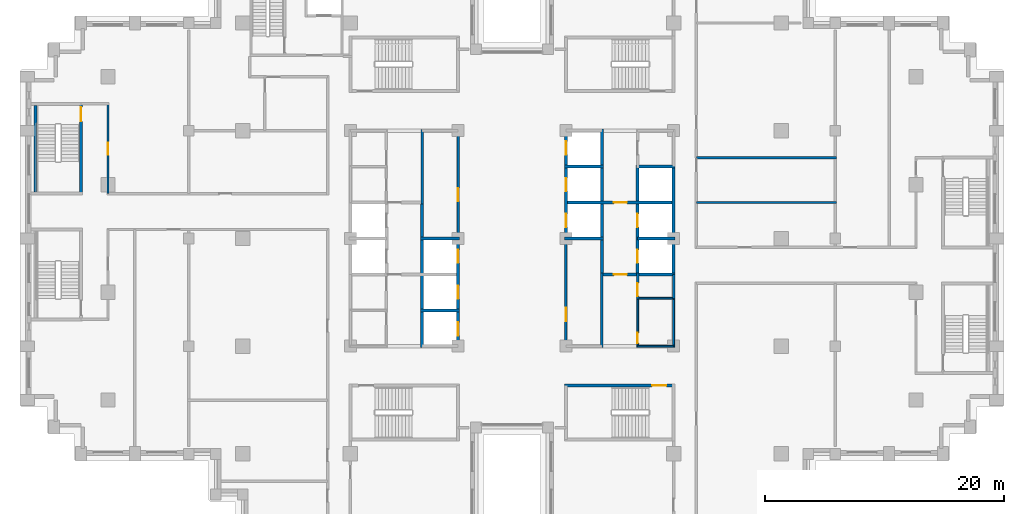
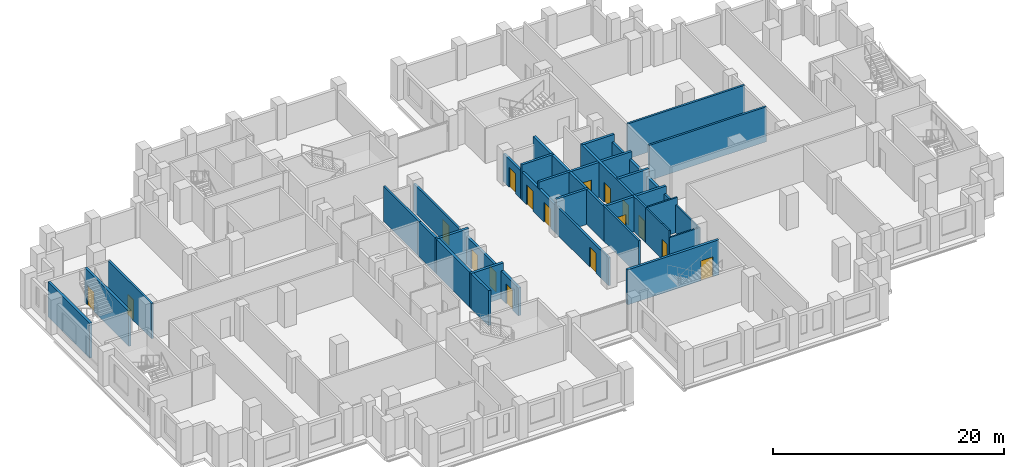
# One storey, part 8 of 15: 30 walls, 17 doors, 17 openings.
"""IFC4 building model written with IfcOpenShell, lengths in metres."""

import ifcopenshell
import ifcopenshell.guid

model = None  # the IFC model being written
_history = None  # IfcOwnerHistory: only IFC2X3 demands one
_inside = {}  # id of a spatial element -> (the spatial element, [elements in it])
_under = {}  # id of a project, library or spatial element -> (it, [spatial elements below it])
_declared = {}  # id of a project -> (the project, [libraries it declares])
_typed = {}  # id of a type object -> (the type object, [elements of that type])
_made_of = {}  # id of a material, layer set ... -> (it, [elements and type objects made of it])


def new_model(schema):
    """Start an empty IFC model of exactly this schema.

    Asked for "IFC4X3", IfcOpenShell would pick the latest addendum, in which some entities
    have other attributes; the version numbers below select the first issue.
    IFC2X3 requires an IfcOwnerHistory on every rooted entity: one is made here for all.
    """
    global model, _history
    if schema == "IFC4X3":
        model = ifcopenshell.file(schema_version=(4, 3, 0, 0))
    else:
        model = ifcopenshell.file(schema=schema)
    _inside.clear()
    _under.clear()
    _declared.clear()
    _typed.clear()
    _made_of.clear()
    _history = None
    if model.schema == "IFC2X3":
        org = make("IfcOrganization", Name="unknown")
        user = make(
            "IfcPersonAndOrganization",
            ThePerson=make("IfcPerson", FamilyName="unknown"),
            TheOrganization=org,
        )
        app = make(
            "IfcApplication",
            ApplicationDeveloper=org,
            Version="unknown",
            ApplicationFullName="unknown",
            ApplicationIdentifier="unknown",
        )
        _history = make(
            "IfcOwnerHistory",
            OwningUser=user,
            OwningApplication=app,
            ChangeAction="ADDED",
            CreationDate=0,
        )
    return model


def make(cls, **values):
    """One entity of the class cls with the attributes given. An attribute that is None is left unset."""
    return model.create_entity(
        cls, **{name: value for name, value in values.items() if value is not None}
    )


def rooted(cls, **values):
    """An entity with a GlobalId (a new one), such as an element, a storey or a relation."""
    return make(cls, GlobalId=ifcopenshell.guid.new(), OwnerHistory=_history, **values)


def si_unit(unit_type, name, prefix=None):
    """IfcSIUnit, for example si_unit("LENGTHUNIT", "METRE", prefix="MILLI")."""
    return make("IfcSIUnit", UnitType=unit_type, Prefix=prefix, Name=name)


def assignment(units):
    """IfcUnitAssignment: the units of a project."""
    return None if units is None else make("IfcUnitAssignment", Units=units)


def point(xyz):
    """IfcCartesianPoint."""
    return None if xyz is None else make("IfcCartesianPoint", Coordinates=xyz)


def direction(xyz):
    """IfcDirection."""
    return None if xyz is None else make("IfcDirection", DirectionRatios=xyz)


def frame(location, z_axis=None, x_axis=None):
    """IfcAxis2Placement3D, a coordinate frame: its origin and axes. An axis left out is left unset."""
    return make(
        "IfcAxis2Placement3D",
        Location=point(location),
        Axis=direction(z_axis),
        RefDirection=direction(x_axis),
    )


def frame_2d(location, x_axis=None):
    """IfcAxis2Placement2D, a coordinate frame in the plane: its origin and x axis."""
    return make(
        "IfcAxis2Placement2D", Location=point(location), RefDirection=direction(x_axis)
    )


def origin():
    """The frame at (0, 0, 0) with its axes left unset."""
    return frame((0.0, 0.0, 0.0))


def place(relative_to, where):
    """IfcLocalPlacement: puts the frame where relative to a parent placement (None: the world)."""
    return make(
        "IfcLocalPlacement", PlacementRelTo=relative_to, RelativePlacement=where
    )


def context(
    kind, dimensions, precision=None, world=None, true_north=None, identifier=None
):
    """IfcGeometricRepresentationContext, for example the 3D "Model" context."""
    return make(
        "IfcGeometricRepresentationContext",
        ContextIdentifier=identifier,
        ContextType=kind,
        CoordinateSpaceDimension=dimensions,
        Precision=precision,
        WorldCoordinateSystem=world,
        TrueNorth=true_north,
    )


def subcontext(parent, identifier, kind, view, scale=None):
    """IfcGeometricRepresentationSubContext, for example "Body" below "Model"."""
    return make(
        "IfcGeometricRepresentationSubContext",
        ContextIdentifier=identifier,
        ContextType=kind,
        ParentContext=parent,
        TargetScale=scale,
        TargetView=view,
    )


def project(units=None, contexts=None):
    """IfcProject with its units and contexts."""
    return rooted(
        "IfcProject",
        Name="project",
        RepresentationContexts=contexts,
        UnitsInContext=assignment(units),
    )


def spatial(cls, under=None, at=None, **own):
    """A site, building, storey or space (cls), placed at a placement, below another one or the project."""
    s = rooted(cls, ObjectPlacement=at, **own)
    if under is not None:
        _under.setdefault(under.id(), (under, []))[1].append(s)
    return s


def profile(cls, at=None, kind="AREA", **sizes):
    """A parametric profile (cls). Its sizes go by their IFC names, for example OverallWidth=200.0."""
    return make(cls, ProfileType=kind, Position=at, **sizes)


def rectangle(**sizes):
    """IfcRectangleProfileDef."""
    return profile("IfcRectangleProfileDef", **sizes)


def extrude(swept, where, along, depth):
    """IfcExtrudedAreaSolid: the profile swept, set in the frame where, extruded along a direction by depth."""
    return make(
        "IfcExtrudedAreaSolid",
        SweptArea=swept,
        Position=where,
        ExtrudedDirection=direction(along),
        Depth=depth,
    )


def shape(context_of_items, identifier, shape_type, items):
    """IfcShapeRepresentation: the items that make up one representation, for example the "Body"."""
    return make(
        "IfcShapeRepresentation",
        ContextOfItems=context_of_items,
        RepresentationIdentifier=identifier,
        RepresentationType=shape_type,
        Items=items,
    )


def material(Name=None, Category=None):
    """IfcMaterial."""
    return make("IfcMaterial", Name=Name, Category=Category)


def layer(
    of_material, thickness, ventilated=None, Name=None, Category=None, Priority=None
):
    """IfcMaterialLayer: one layer of a wall or slab, of a material (None: an air gap)."""
    return make(
        "IfcMaterialLayer",
        Material=of_material,
        LayerThickness=thickness,
        IsVentilated=ventilated,
        Name=Name,
        Category=Category,
        Priority=Priority,
    )


def layer_set(layers, Name=None):
    """IfcMaterialLayerSet."""
    return make("IfcMaterialLayerSet", MaterialLayers=layers, LayerSetName=Name)


def made_of(thing, what):
    """Note that an element or type object is made of a material, layer set ...; save() writes the relation."""
    if what is not None:
        _made_of.setdefault(what.id(), (what, []))[1].append(thing)
    return thing


def type_object(cls, material=None, **own):
    """A type object (cls), such as IfcWallType, which elements share."""
    return made_of(rooted(cls, **own), material)


def element(
    cls,
    number,
    at=None,
    inside=None,
    cuts=None,
    type_object=None,
    material=None,
    context=None,
    identifier="Body",
    shape_type=None,
    held_by="IfcProductDefinitionShape",
    body=None,
    shapes=None,
    **own,
):
    """One element of the class cls, such as IfcWall. Its Tag is "e" and its number.

    at: its placement. inside: the storey or other place that contains it. cuts: it is an
    opening in that element (IfcRelVoidsElement). A single representation is given by context,
    identifier, shape_type and body (its items); several are given by shapes. held_by: the class
    of the entity that holds the representations. save() writes the other relations.
    """
    e = rooted(cls, Tag="e%d" % number, ObjectPlacement=at, **own)
    if body is not None:
        shapes = [shape(context, identifier, shape_type, body)]
    if shapes is not None:
        e.Representation = make(held_by, Representations=shapes)
    if inside is not None:
        _inside.setdefault(inside.id(), (inside, []))[1].append(e)
    if cuts is not None:
        rooted(
            "IfcRelVoidsElement", RelatingBuildingElement=cuts, RelatedOpeningElement=e
        )
    if type_object is not None:
        _typed.setdefault(type_object.id(), (type_object, []))[1].append(e)
    return made_of(e, material)


def fill(opening, filler):
    """IfcRelFillsElement: the door or window that sits in an opening."""
    return rooted(
        "IfcRelFillsElement",
        RelatingOpeningElement=opening,
        RelatedBuildingElement=filler,
    )


def aggregate(whole, parts):
    """IfcRelAggregates: a whole, such as a stair, and the parts it consists of."""
    return rooted("IfcRelAggregates", RelatingObject=whole, RelatedObjects=parts)


def save(model, path):
    """Write the relations noted so far, then the file.

    IfcRelAggregates (storeys below a building ...), IfcRelContainedInSpatialStructure (elements
    in a storey), IfcRelDefinesByType, IfcRelAssociatesMaterial and IfcRelDeclares: one each for
    every whole, place, type object, material and project.
    """
    for whole, parts in _under.values():
        aggregate(whole, parts)
    for where, things in _inside.values():
        rooted(
            "IfcRelContainedInSpatialStructure",
            RelatedElements=things,
            RelatingStructure=where,
        )
    for kind, things in _typed.values():
        rooted("IfcRelDefinesByType", RelatedObjects=things, RelatingType=kind)
    for what, things in _made_of.values():
        rooted("IfcRelAssociatesMaterial", RelatedObjects=things, RelatingMaterial=what)
    for by, libraries in _declared.values():
        rooted("IfcRelDeclares", RelatingContext=by, RelatedDefinitions=libraries)
    model.write(path)


model = new_model("IFC4")

# Units and contexts
model_context = context("Model", 3, precision=1e-05, world=origin(), true_north=direction((0.0, 1.0)))
body_context = subcontext(model_context, "Body", "Model", "MODEL_VIEW")
ifc_project = project(units=[si_unit("LENGTHUNIT", "METRE"), si_unit("AREAUNIT", "SQUARE_METRE"), si_unit("VOLUMEUNIT", "CUBIC_METRE"), si_unit("PLANEANGLEUNIT", "RADIAN"), si_unit("MASSUNIT", "GRAM", prefix="KILO")], contexts=[model_context])

# Site, building, storey
site_placement = place(None, origin())
site = spatial("IfcSite", under=ifc_project, at=site_placement, CompositionType="ELEMENT")
building_placement = place(site_placement, origin())
building = spatial("IfcBuilding", under=site, at=building_placement, Name="Corbelhall Arena Tower", CompositionType="ELEMENT")
storey_placement = place(building_placement, frame((0.0, 0.0, 88.0)))
storey = spatial("IfcBuildingStorey", under=building, at=storey_placement, Name="L14", CompositionType="ELEMENT", Elevation=88.0)

# Wall, opening, door
ifc_material_1 = material(Name="Gypsum board on steel stud, acoustic", Category="steel")
ifc_layer_1 = layer(ifc_material_1, 0.199951171875)
ifc_layer_set_1 = layer_set([ifc_layer_1], Name="IN-W-DM200")
wall_type_1 = type_object("IfcWallType", Name="IN-W-DM200", PredefinedType="PARTITIONING", material=ifc_layer_set_1)
wall_1_placement = place(storey_placement, frame((-33.75, 11.25, 0.0), z_axis=(0.0, 0.0, 1.0), x_axis=(0.0, -1.0, 0.0)))
wall_1 = element("IfcWall", 1, at=wall_1_placement, inside=storey, type_object=wall_type_1, Name="Partition 005", PredefinedType="PARTITIONING", context=body_context, shape_type="SweptSolid", body=[
    extrude(rectangle(XDim=7.5, YDim=0.199951171875, at=frame_2d((3.75, 0.0))), origin(), (0.0, 0.0, 1.0), 3.699951171875),
])
opening_1_placement = place(wall_1_placement, frame((3.25, 0.0, 0.0)))
opening_1 = element("IfcOpeningElement", 2, at=opening_1_placement, cuts=wall_1, Name="Opening 02037", PredefinedType="OPENING", context=body_context, shape_type="SweptSolid", body=[
    extrude(rectangle(XDim=1.0, YDim=2.10009765625, at=frame_2d((0.5, 1.050048828125))), frame((0.0, 0.10009765625, 0.0), z_axis=(0.0, -1.0, 0.0), x_axis=(1.0, 0.0, 0.0)), (0.0, 0.0, 1.0), 0.199951171875),
])
ifc_material_2 = material(Name="Steel door set", Category="steel")
door_type_1 = type_object("IfcDoorType", Name="IN-D-SW100", OperationType="NOTDEFINED", PredefinedType="DOOR", material=ifc_material_2)
door_1_placement = place(opening_1_placement, origin())
door_1 = element("IfcDoor", 3, at=door_1_placement, inside=storey, type_object=door_type_1, Name="Door 037", OperationType="SINGLE_SWING_RIGHT", OverallHeight=2.10009765625, OverallWidth=1.0, PredefinedType="DOOR", context=body_context, shape_type="SweptSolid", body=[
    extrude(rectangle(XDim=1.0, YDim=2.10009765625, at=frame_2d((0.5, 1.050048828125))), frame((0.0, 0.02490234375, 0.0), z_axis=(0.0, -1.0, 0.0), x_axis=(1.0, 0.0, 0.0)), (0.0, 0.0, 1.0), 0.050048828125),
])
fill(opening_1, door_1)

# Walls
for number, where, z_axis, x_axis, name in (
    (4, (15.39990234375, 3.0, 0.0), (0.0, 0.0, 1.0), (1.0, 0.0, 0.0), "Partition 030"),
    (5, (15.39990234375, 6.75, 0.0), (0.0, 0.0, 1.0), (1.0, 0.0, 0.0), "Partition 032"),
):
    element("IfcWall", number, at=place(storey_placement, frame(where, z_axis=z_axis, x_axis=x_axis)), inside=storey, type_object=wall_type_1, Name=name, PredefinedType="PARTITIONING", context=body_context, shape_type="SweptSolid", body=[
        extrude(rectangle(XDim=11.7001953125, YDim=0.199951171875, at=frame_2d((5.85009765625, 0.0))), origin(), (0.0, 0.0, 1.0), 3.699951171875),
    ])
ifc_material_3 = material(Name="Concrete block wall", Category="concrete")
ifc_layer_2 = layer(ifc_material_3, 0.199951171875)
ifc_layer_set_2 = layer_set([ifc_layer_2], Name="IN-W-RS200")
wall_type_2 = type_object("IfcWallType", Name="IN-W-RS200", PredefinedType="SOLIDWALL", material=ifc_layer_set_2)
for number, where, z_axis, x_axis, name in (
    (6, (-7.5, 2.875, 0.0), (0.0, 0.0, 1.0), (0.0, 1.0, 0.0), "Partition 047"),
    (7, (7.5, -2.875, 0.0), (0.0, 0.0, 1.0), (0.0, -1.0, 0.0), "Partition 052"),
):
    element("IfcWall", number, at=place(storey_placement, frame(where, z_axis=z_axis, x_axis=x_axis)), inside=storey, type_object=wall_type_2, Name=name, PredefinedType="SOLIDWALL", context=body_context, shape_type="SweptSolid", body=[
        extrude(rectangle(XDim=6.22509765625, YDim=0.199951171875, at=frame_2d((3.112548828125, 0.0))), origin(), (0.0, 0.0, 1.0), 3.699951171875),
    ])

# Wall, opening, door
wall_2_placement = place(storey_placement, frame((10.5, -2.875, 0.0), z_axis=(0.0, 0.0, 1.0), x_axis=(0.0, -1.0, 0.0)))
wall_2 = element("IfcWall", 8, at=wall_2_placement, inside=storey, type_object=wall_type_2, Name="Partition 053", PredefinedType="SOLIDWALL", context=body_context, shape_type="SweptSolid", body=[
    extrude(rectangle(XDim=2.199951171875, YDim=0.199951171875, at=frame_2d((1.10009765625, 0.0))), origin(), (0.0, 0.0, 1.0), 3.699951171875),
])
opening_2_placement = place(wall_2_placement, frame((0.85009765625, 0.0, 0.0)))
opening_2 = element("IfcOpeningElement", 9, at=opening_2_placement, cuts=wall_2, Name="Opening 02012", PredefinedType="OPENING", context=body_context, shape_type="SweptSolid", body=[
    extrude(rectangle(XDim=1.10009765625, YDim=2.10009765625, at=frame_2d((0.550048828125, 1.050048828125))), frame((0.0, 0.10009765625, 0.0), z_axis=(0.0, -1.0, 0.0), x_axis=(1.0, 0.0, 0.0)), (0.0, 0.0, 1.0), 0.199951171875),
])
door_type_2 = type_object("IfcDoorType", Name="IN-D-FD110", OperationType="NOTDEFINED", PredefinedType="DOOR", material=ifc_material_2)
door_2_placement = place(opening_2_placement, origin())
door_2 = element("IfcDoor", 10, at=door_2_placement, inside=storey, type_object=door_type_2, Name="Door 012", OperationType="SINGLE_SWING_LEFT", OverallHeight=2.10009765625, OverallWidth=1.10009765625, PredefinedType="DOOR", context=body_context, shape_type="SweptSolid", body=[
    extrude(rectangle(XDim=1.10009765625, YDim=2.10009765625, at=frame_2d((0.550048828125, 1.050048828125))), frame((0.0, 0.02490234375, 0.0), z_axis=(0.0, -1.0, 0.0), x_axis=(1.0, 0.0, 0.0)), (0.0, 0.0, 1.0), 0.050048828125),
])
fill(opening_2, door_2)

ifc_layer_3 = layer(ifc_material_3, 0.199951171875)
ifc_layer_set_3 = layer_set([ifc_layer_3], Name="IN-W-RS200 under beam 762 mm")
wall_type_3 = type_object("IfcWallType", Name="IN-W-RS200 under beam 762 mm", PredefinedType="SOLIDWALL", material=ifc_layer_set_3)
wall_3_placement = place(storey_placement, frame((-4.5, 9.10009765625, 0.0), z_axis=(0.0, 0.0, 1.0), x_axis=(0.0, -1.0, 0.0)))
wall_3 = element("IfcWall", 11, at=wall_3_placement, inside=storey, type_object=wall_type_3, Name="Partition 049", PredefinedType="SOLIDWALL", context=body_context, shape_type="SweptSolid", body=[
    extrude(rectangle(XDim=9.10009765625, YDim=0.199951171875, at=frame_2d((4.550048828125, 0.0))), origin(), (0.0, 0.0, 1.0), 2.93798828125),
])
opening_3_placement = place(wall_3_placement, frame((4.89990234375, 0.0, 0.0)))
opening_3 = element("IfcOpeningElement", 12, at=opening_3_placement, cuts=wall_3, Name="Opening 02001", PredefinedType="OPENING", context=body_context, shape_type="SweptSolid", body=[
    extrude(rectangle(XDim=1.10009765625, YDim=2.10009765625, at=frame_2d((0.550048828125, 1.050048828125))), frame((0.0, 0.10009765625, 0.0), z_axis=(0.0, -1.0, 0.0), x_axis=(1.0, 0.0, 0.0)), (0.0, 0.0, 1.0), 0.199951171875),
])
door_3_placement = place(opening_3_placement, origin())
door_3 = element("IfcDoor", 13, at=door_3_placement, inside=storey, type_object=door_type_2, Name="Door 001", OperationType="SINGLE_SWING_RIGHT", OverallHeight=2.10009765625, OverallWidth=1.10009765625, PredefinedType="DOOR", context=body_context, shape_type="SweptSolid", body=[
    extrude(rectangle(XDim=1.10009765625, YDim=2.10009765625, at=frame_2d((0.550048828125, 1.050048828125))), frame((0.0, 0.02490234375, 0.0), z_axis=(0.0, -1.0, 0.0), x_axis=(1.0, 0.0, 0.0)), (0.0, 0.0, 1.0), 0.050048828125),
])
fill(opening_3, door_3)

wall_4_placement = place(storey_placement, frame((4.5, -9.10009765625, 0.0), z_axis=(0.0, 0.0, 1.0), x_axis=(0.0, 1.0, 0.0)))
wall_4 = element("IfcWall", 14, at=wall_4_placement, inside=storey, type_object=wall_type_3, Name="Partition 050", PredefinedType="SOLIDWALL", context=body_context, shape_type="SweptSolid", body=[
    extrude(rectangle(XDim=9.10009765625, YDim=0.199951171875, at=frame_2d((4.550048828125, 0.0))), origin(), (0.0, 0.0, 1.0), 2.93798828125),
])
opening_4_placement = place(wall_4_placement, frame((2.199951171875, 0.0, 0.0)))
opening_4 = element("IfcOpeningElement", 15, at=opening_4_placement, cuts=wall_4, Name="Opening 02008", PredefinedType="OPENING", context=body_context, shape_type="SweptSolid", body=[
    extrude(rectangle(XDim=1.10009765625, YDim=2.10009765625, at=frame_2d((0.550048828125, 1.050048828125))), frame((0.0, 0.10009765625, 0.0), z_axis=(0.0, -1.0, 0.0), x_axis=(1.0, 0.0, 0.0)), (0.0, 0.0, 1.0), 0.199951171875),
])
door_4_placement = place(opening_4_placement, origin())
door_4 = element("IfcDoor", 16, at=door_4_placement, inside=storey, type_object=door_type_2, Name="Door 008", OperationType="SINGLE_SWING_LEFT", OverallHeight=2.10009765625, OverallWidth=1.10009765625, PredefinedType="DOOR", context=body_context, shape_type="SweptSolid", body=[
    extrude(rectangle(XDim=1.10009765625, YDim=2.10009765625, at=frame_2d((0.550048828125, 1.050048828125))), frame((0.0, 0.02490234375, 0.0), z_axis=(0.0, -1.0, 0.0), x_axis=(1.0, 0.0, 0.0)), (0.0, 0.0, 1.0), 0.050048828125),
])
fill(opening_4, door_4)

# Walls
wall_5_placement = place(storey_placement, frame((13.5, -3.0, 0.0), z_axis=(0.0, 0.0, 1.0), x_axis=(0.0, -1.0, 0.0)))
element("IfcWall", 17, at=wall_5_placement, inside=storey, type_object=wall_type_3, Name="Partition 056", PredefinedType="SOLIDWALL", context=body_context, shape_type="SweptSolid", body=[
    extrude(rectangle(XDim=2.0, YDim=0.199951171875, at=frame_2d((1.0, 0.0))), origin(), (0.0, 0.0, 1.0), 2.93798828125),
])
ifc_material_4 = material(Name="Concrete C40/50", Category="concrete")
ifc_layer_4 = layer(ifc_material_4, 0.25)
ifc_layer_set_4 = layer_set([ifc_layer_4], Name="IN-W-SH250")
wall_type_4 = type_object("IfcWallType", Name="IN-W-SH250", PredefinedType="SOLIDWALL", material=ifc_layer_set_4)
for number, where, z_axis, x_axis, name in (
    (18, (-7.625, -6.0, 0.0), (0.0, 0.0, 1.0), (1.0, 0.0, 0.0), "Shaft wall 063"),
    (19, (-7.625, 0.0, 0.0), (0.0, 0.0, 1.0), (1.0, 0.0, 0.0), "Shaft wall 064"),
):
    element("IfcWall", number, at=place(storey_placement, frame(where, z_axis=z_axis, x_axis=x_axis)), inside=storey, type_object=wall_type_4, Name=name, PredefinedType="SOLIDWALL", context=body_context, shape_type="SweptSolid", body=[
        extrude(rectangle(XDim=3.25, YDim=0.25, at=frame_2d((1.625, 0.0))), origin(), (0.0, 0.0, 1.0), 3.699951171875),
    ])
wall_6_placement = place(storey_placement, frame((-7.5, -9.125, 0.0), z_axis=(0.0, 0.0, 1.0), x_axis=(0.0, 1.0, 0.0)))
element("IfcWall", 20, at=wall_6_placement, inside=storey, type_object=wall_type_4, Name="Shaft wall 065", PredefinedType="SOLIDWALL", context=body_context, shape_type="SweptSolid", body=[
    extrude(rectangle(XDim=12.25, YDim=0.25, at=frame_2d((6.125, 0.0))), origin(), (0.0, 0.0, 1.0), 3.699951171875),
])
wall_7_placement = place(storey_placement, frame((4.375, 0.0, 0.0), z_axis=(0.0, 0.0, 1.0), x_axis=(1.0, 0.0, 0.0)))
element("IfcWall", 21, at=wall_7_placement, inside=storey, type_object=wall_type_4, Name="Shaft wall 068", PredefinedType="SOLIDWALL", context=body_context, shape_type="SweptSolid", body=[
    extrude(rectangle(XDim=3.25, YDim=0.25, at=frame_2d((1.625, 0.0))), origin(), (0.0, 0.0, 1.0), 3.699951171875),
])

# Wall, opening, door
wall_8_placement = place(storey_placement, frame((4.375, 3.0, 0.0), z_axis=(0.0, 0.0, 1.0), x_axis=(1.0, 0.0, 0.0)))
wall_8 = element("IfcWall", 22, at=wall_8_placement, inside=storey, type_object=wall_type_4, Name="Shaft wall 069", PredefinedType="SOLIDWALL", context=body_context, shape_type="SweptSolid", body=[
    extrude(rectangle(XDim=9.25, YDim=0.25, at=frame_2d((4.625, 0.0))), origin(), (0.0, 0.0, 1.0), 3.699951171875),
])
opening_5_placement = place(wall_8_placement, frame((4.125, 0.0, 0.0)))
opening_5 = element("IfcOpeningElement", 23, at=opening_5_placement, cuts=wall_8, Name="Opening 02010", PredefinedType="OPENING", context=body_context, shape_type="SweptSolid", body=[
    extrude(rectangle(XDim=1.10009765625, YDim=2.10009765625, at=frame_2d((0.550048828125, 1.050048828125))), frame((0.0, 0.125, 0.0), z_axis=(0.0, -1.0, 0.0), x_axis=(1.0, 0.0, 0.0)), (0.0, 0.0, 1.0), 0.25),
])
door_5_placement = place(opening_5_placement, origin())
door_5 = element("IfcDoor", 24, at=door_5_placement, inside=storey, type_object=door_type_2, Name="Door 010", OperationType="SINGLE_SWING_LEFT", OverallHeight=2.10009765625, OverallWidth=1.10009765625, PredefinedType="DOOR", context=body_context, shape_type="SweptSolid", body=[
    extrude(rectangle(XDim=1.10009765625, YDim=2.10009765625, at=frame_2d((0.550048828125, 1.050048828125))), frame((0.0, 0.02490234375, 0.0), z_axis=(0.0, -1.0, 0.0), x_axis=(1.0, 0.0, 0.0)), (0.0, 0.0, 1.0), 0.050048828125),
])
fill(opening_5, door_5)

# Wall
wall_9_placement = place(storey_placement, frame((4.375, 6.0, 0.0), z_axis=(0.0, 0.0, 1.0), x_axis=(1.0, 0.0, 0.0)))
element("IfcWall", 25, at=wall_9_placement, inside=storey, type_object=wall_type_4, Name="Shaft wall 070", PredefinedType="SOLIDWALL", context=body_context, shape_type="SweptSolid", body=[
    extrude(rectangle(XDim=3.25, YDim=0.25, at=frame_2d((1.625, 0.0))), origin(), (0.0, 0.0, 1.0), 3.699951171875),
])

# Wall, opening, door
wall_10_placement = place(storey_placement, frame((7.5, -3.0, 0.0), z_axis=(0.0, 0.0, 1.0), x_axis=(1.0, 0.0, 0.0)))
wall_10 = element("IfcWall", 26, at=wall_10_placement, inside=storey, type_object=wall_type_4, Name="Shaft wall 073", PredefinedType="SOLIDWALL", context=body_context, shape_type="SweptSolid", body=[
    extrude(rectangle(XDim=6.125, YDim=0.25, at=frame_2d((3.0625, 0.0))), origin(), (0.0, 0.0, 1.0), 3.699951171875),
])
opening_6_placement = place(wall_10_placement, frame((1.0, 0.0, 0.0)))
opening_6 = element("IfcOpeningElement", 27, at=opening_6_placement, cuts=wall_10, Name="Opening 02009", PredefinedType="OPENING", context=body_context, shape_type="SweptSolid", body=[
    extrude(rectangle(XDim=1.10009765625, YDim=2.10009765625, at=frame_2d((0.550048828125, 1.050048828125))), frame((0.0, 0.125, 0.0), z_axis=(0.0, -1.0, 0.0), x_axis=(1.0, 0.0, 0.0)), (0.0, 0.0, 1.0), 0.25),
])
door_6_placement = place(opening_6_placement, origin())
door_6 = element("IfcDoor", 28, at=door_6_placement, inside=storey, type_object=door_type_2, Name="Door 009", OperationType="SINGLE_SWING_RIGHT", OverallHeight=2.10009765625, OverallWidth=1.10009765625, PredefinedType="DOOR", context=body_context, shape_type="SweptSolid", body=[
    extrude(rectangle(XDim=1.10009765625, YDim=2.10009765625, at=frame_2d((0.550048828125, 1.050048828125))), frame((0.0, 0.02490234375, 0.0), z_axis=(0.0, -1.0, 0.0), x_axis=(1.0, 0.0, 0.0)), (0.0, 0.0, 1.0), 0.050048828125),
])
fill(opening_6, door_6)

# Walls
wall_11_placement = place(storey_placement, frame((7.5, 9.125, 0.0), z_axis=(0.0, 0.0, 1.0), x_axis=(0.0, -1.0, 0.0)))
element("IfcWall", 29, at=wall_11_placement, inside=storey, type_object=wall_type_4, Name="Shaft wall 074", PredefinedType="SOLIDWALL", context=body_context, shape_type="SweptSolid", body=[
    extrude(rectangle(XDim=12.25, YDim=0.25, at=frame_2d((6.125, 0.0))), origin(), (0.0, 0.0, 1.0), 3.699951171875),
])
wall_12_placement = place(storey_placement, frame((10.5, 0.0, 0.0), z_axis=(0.0, 0.0, 1.0), x_axis=(1.0, 0.0, 0.0)))
element("IfcWall", 30, at=wall_12_placement, inside=storey, type_object=wall_type_4, Name="Shaft wall 075", PredefinedType="SOLIDWALL", context=body_context, shape_type="SweptSolid", body=[
    extrude(rectangle(XDim=3.125, YDim=0.25, at=frame_2d((1.5625, 0.0))), origin(), (0.0, 0.0, 1.0), 3.699951171875),
])

# Wall, openings, doors
wall_13_placement = place(storey_placement, frame((10.5, 6.125, 0.0), z_axis=(0.0, 0.0, 1.0), x_axis=(0.0, -1.0, 0.0)))
wall_13 = element("IfcWall", 31, at=wall_13_placement, inside=storey, type_object=wall_type_4, Name="Shaft wall 076", PredefinedType="SOLIDWALL", context=body_context, shape_type="SweptSolid", body=[
    extrude(rectangle(XDim=9.25, YDim=0.25, at=frame_2d((4.625, 0.0))), origin(), (0.0, 0.0, 1.0), 3.699951171875),
])
opening_7_placement = place(wall_13_placement, frame((7.074951171875, 0.0, 0.0)))
opening_7 = element("IfcOpeningElement", 32, at=opening_7_placement, cuts=wall_13, Name="Opening LD", PredefinedType="OPENING", context=body_context, shape_type="SweptSolid", body=[
    extrude(rectangle(XDim=1.10009765625, YDim=2.10009765625, at=frame_2d((0.550048828125, 1.050048828125))), frame((0.0, 0.125, 0.0), z_axis=(0.0, -1.0, 0.0), x_axis=(1.0, 0.0, 0.0)), (0.0, 0.0, 1.0), 0.25),
])
opening_8_placement = place(wall_13_placement, frame((4.074951171875, 0.0, 0.0)))
opening_8 = element("IfcOpeningElement", 33, at=opening_8_placement, cuts=wall_13, Name="Opening LD", PredefinedType="OPENING", context=body_context, shape_type="SweptSolid", body=[
    extrude(rectangle(XDim=1.10009765625, YDim=2.10009765625, at=frame_2d((0.550048828125, 1.050048828125))), frame((0.0, 0.125, 0.0), z_axis=(0.0, -1.0, 0.0), x_axis=(1.0, 0.0, 0.0)), (0.0, 0.0, 1.0), 0.25),
])
door_type_3 = type_object("IfcDoorType", Name="IN-D-LD110", OperationType="NOTDEFINED", PredefinedType="DOOR", material=ifc_material_2)
door_7_placement = place(opening_7_placement, origin())
door_7 = element("IfcDoor", 34, at=door_7_placement, inside=storey, type_object=door_type_3, Name="Landing door E3", OperationType="SLIDING_TO_LEFT", OverallHeight=2.10009765625, OverallWidth=1.10009765625, PredefinedType="DOOR", context=body_context, shape_type="SweptSolid", body=[
    extrude(rectangle(XDim=1.10009765625, YDim=2.10009765625, at=frame_2d((0.550048828125, 1.050048828125))), frame((0.0, 0.02490234375, 0.0), z_axis=(0.0, -1.0, 0.0), x_axis=(1.0, 0.0, 0.0)), (0.0, 0.0, 1.0), 0.050048828125),
])
fill(opening_7, door_7)
door_8_placement = place(opening_8_placement, origin())
door_8 = element("IfcDoor", 35, at=door_8_placement, inside=storey, type_object=door_type_3, Name="Landing door E4", OperationType="SLIDING_TO_LEFT", OverallHeight=2.10009765625, OverallWidth=1.10009765625, PredefinedType="DOOR", context=body_context, shape_type="SweptSolid", body=[
    extrude(rectangle(XDim=1.10009765625, YDim=2.10009765625, at=frame_2d((0.550048828125, 1.050048828125))), frame((0.0, 0.02490234375, 0.0), z_axis=(0.0, -1.0, 0.0), x_axis=(1.0, 0.0, 0.0)), (0.0, 0.0, 1.0), 0.050048828125),
])
fill(opening_8, door_8)

# Wall
wall_14_placement = place(storey_placement, frame((10.5, 6.0, 0.0), z_axis=(0.0, 0.0, 1.0), x_axis=(1.0, 0.0, 0.0)))
element("IfcWall", 36, at=wall_14_placement, inside=storey, type_object=wall_type_4, Name="Shaft wall 077", PredefinedType="SOLIDWALL", context=body_context, shape_type="SweptSolid", body=[
    extrude(rectangle(XDim=3.125, YDim=0.25, at=frame_2d((1.5625, 0.0))), origin(), (0.0, 0.0, 1.0), 3.699951171875),
])

# Wall, openings, doors
ifc_layer_5 = layer(ifc_material_4, 0.25)
ifc_layer_set_5 = layer_set([ifc_layer_5], Name="IN-W-SH250 under beam 762 mm")
wall_type_5 = type_object("IfcWallType", Name="IN-W-SH250 under beam 762 mm", PredefinedType="SOLIDWALL", material=ifc_layer_set_5)
wall_15_placement = place(storey_placement, frame((-4.5, 0.0, 0.0), z_axis=(0.0, 0.0, 1.0), x_axis=(0.0, -1.0, 0.0)))
wall_15 = element("IfcWall", 37, at=wall_15_placement, inside=storey, type_object=wall_type_5, Name="Shaft wall 067", PredefinedType="SOLIDWALL", context=body_context, shape_type="SweptSolid", body=[
    extrude(rectangle(XDim=9.125, YDim=0.25, at=frame_2d((4.5625, 0.0))), origin(), (0.0, 0.0, 1.0), 2.93798828125),
])
opening_9_placement = place(wall_15_placement, frame((7.012451171875, 0.0, 0.0)))
opening_9 = element("IfcOpeningElement", 38, at=opening_9_placement, cuts=wall_15, Name="Opening LD", PredefinedType="OPENING", context=body_context, shape_type="SweptSolid", body=[
    extrude(rectangle(XDim=1.10009765625, YDim=2.10009765625, at=frame_2d((0.550048828125, 1.050048828125))), frame((0.0, 0.125, 0.0), z_axis=(0.0, -1.0, 0.0), x_axis=(1.0, 0.0, 0.0)), (0.0, 0.0, 1.0), 0.25),
])
opening_10_placement = place(wall_15_placement, frame((3.949951171875, 0.0, 0.0)))
opening_10 = element("IfcOpeningElement", 39, at=opening_10_placement, cuts=wall_15, Name="Opening LD", PredefinedType="OPENING", context=body_context, shape_type="SweptSolid", body=[
    extrude(rectangle(XDim=1.10009765625, YDim=2.10009765625, at=frame_2d((0.550048828125, 1.050048828125))), frame((0.0, 0.125, 0.0), z_axis=(0.0, -1.0, 0.0), x_axis=(1.0, 0.0, 0.0)), (0.0, 0.0, 1.0), 0.25),
])
opening_11_placement = place(wall_15_placement, frame((0.949951171875, 0.0, 0.0)))
opening_11 = element("IfcOpeningElement", 40, at=opening_11_placement, cuts=wall_15, Name="Opening LD", PredefinedType="OPENING", context=body_context, shape_type="SweptSolid", body=[
    extrude(rectangle(XDim=1.10009765625, YDim=2.10009765625, at=frame_2d((0.550048828125, 1.050048828125))), frame((0.0, 0.125, 0.0), z_axis=(0.0, -1.0, 0.0), x_axis=(1.0, 0.0, 0.0)), (0.0, 0.0, 1.0), 0.25),
])
door_9_placement = place(opening_9_placement, origin())
door_9 = element("IfcDoor", 41, at=door_9_placement, inside=storey, type_object=door_type_3, Name="Landing door W1", OperationType="SLIDING_TO_LEFT", OverallHeight=2.10009765625, OverallWidth=1.10009765625, PredefinedType="DOOR", context=body_context, shape_type="SweptSolid", body=[
    extrude(rectangle(XDim=1.10009765625, YDim=2.10009765625, at=frame_2d((0.550048828125, 1.050048828125))), frame((0.0, 0.02490234375, 0.0), z_axis=(0.0, -1.0, 0.0), x_axis=(1.0, 0.0, 0.0)), (0.0, 0.0, 1.0), 0.050048828125),
])
fill(opening_9, door_9)
door_10_placement = place(opening_10_placement, origin())
door_10 = element("IfcDoor", 42, at=door_10_placement, inside=storey, type_object=door_type_3, Name="Landing door W2", OperationType="SLIDING_TO_LEFT", OverallHeight=2.10009765625, OverallWidth=1.10009765625, PredefinedType="DOOR", context=body_context, shape_type="SweptSolid", body=[
    extrude(rectangle(XDim=1.10009765625, YDim=2.10009765625, at=frame_2d((0.550048828125, 1.050048828125))), frame((0.0, 0.02490234375, 0.0), z_axis=(0.0, -1.0, 0.0), x_axis=(1.0, 0.0, 0.0)), (0.0, 0.0, 1.0), 0.050048828125),
])
fill(opening_10, door_10)
door_11_placement = place(opening_11_placement, origin())
door_11 = element("IfcDoor", 43, at=door_11_placement, inside=storey, type_object=door_type_3, Name="Landing door W3", OperationType="SLIDING_TO_LEFT", OverallHeight=2.10009765625, OverallWidth=1.10009765625, PredefinedType="DOOR", context=body_context, shape_type="SweptSolid", body=[
    extrude(rectangle(XDim=1.10009765625, YDim=2.10009765625, at=frame_2d((0.550048828125, 1.050048828125))), frame((0.0, 0.02490234375, 0.0), z_axis=(0.0, -1.0, 0.0), x_axis=(1.0, 0.0, 0.0)), (0.0, 0.0, 1.0), 0.050048828125),
])
fill(opening_11, door_11)

wall_16_placement = place(storey_placement, frame((4.5, 0.0, 0.0), z_axis=(0.0, 0.0, 1.0), x_axis=(0.0, 1.0, 0.0)))
wall_16 = element("IfcWall", 44, at=wall_16_placement, inside=storey, type_object=wall_type_5, Name="Shaft wall 071", PredefinedType="SOLIDWALL", context=body_context, shape_type="SweptSolid", body=[
    extrude(rectangle(XDim=9.125, YDim=0.25, at=frame_2d((4.5625, 0.0))), origin(), (0.0, 0.0, 1.0), 2.93798828125),
])
opening_12_placement = place(wall_16_placement, frame((0.949951171875, 0.0, 0.0)))
opening_12 = element("IfcOpeningElement", 45, at=opening_12_placement, cuts=wall_16, Name="Opening LD", PredefinedType="OPENING", context=body_context, shape_type="SweptSolid", body=[
    extrude(rectangle(XDim=1.10009765625, YDim=2.10009765625, at=frame_2d((0.550048828125, 1.050048828125))), frame((0.0, 0.125, 0.0), z_axis=(0.0, -1.0, 0.0), x_axis=(1.0, 0.0, 0.0)), (0.0, 0.0, 1.0), 0.25),
])
opening_13_placement = place(wall_16_placement, frame((3.949951171875, 0.0, 0.0)))
opening_13 = element("IfcOpeningElement", 46, at=opening_13_placement, cuts=wall_16, Name="Opening LD", PredefinedType="OPENING", context=body_context, shape_type="SweptSolid", body=[
    extrude(rectangle(XDim=1.10009765625, YDim=2.10009765625, at=frame_2d((0.550048828125, 1.050048828125))), frame((0.0, 0.125, 0.0), z_axis=(0.0, -1.0, 0.0), x_axis=(1.0, 0.0, 0.0)), (0.0, 0.0, 1.0), 0.25),
])
opening_14_placement = place(wall_16_placement, frame((7.012451171875, 0.0, 0.0)))
opening_14 = element("IfcOpeningElement", 47, at=opening_14_placement, cuts=wall_16, Name="Opening LD", PredefinedType="OPENING", context=body_context, shape_type="SweptSolid", body=[
    extrude(rectangle(XDim=1.10009765625, YDim=2.10009765625, at=frame_2d((0.550048828125, 1.050048828125))), frame((0.0, 0.125, 0.0), z_axis=(0.0, -1.0, 0.0), x_axis=(1.0, 0.0, 0.0)), (0.0, 0.0, 1.0), 0.25),
])
door_12_placement = place(opening_12_placement, origin())
door_12 = element("IfcDoor", 48, at=door_12_placement, inside=storey, type_object=door_type_3, Name="Landing door E4", OperationType="SLIDING_TO_LEFT", OverallHeight=2.10009765625, OverallWidth=1.10009765625, PredefinedType="DOOR", context=body_context, shape_type="SweptSolid", body=[
    extrude(rectangle(XDim=1.10009765625, YDim=2.10009765625, at=frame_2d((0.550048828125, 1.050048828125))), frame((0.0, 0.02490234375, 0.0), z_axis=(0.0, -1.0, 0.0), x_axis=(1.0, 0.0, 0.0)), (0.0, 0.0, 1.0), 0.050048828125),
])
fill(opening_12, door_12)
door_13_placement = place(opening_13_placement, origin())
door_13 = element("IfcDoor", 49, at=door_13_placement, inside=storey, type_object=door_type_3, Name="Landing door E5", OperationType="SLIDING_TO_LEFT", OverallHeight=2.10009765625, OverallWidth=1.10009765625, PredefinedType="DOOR", context=body_context, shape_type="SweptSolid", body=[
    extrude(rectangle(XDim=1.10009765625, YDim=2.10009765625, at=frame_2d((0.550048828125, 1.050048828125))), frame((0.0, 0.02490234375, 0.0), z_axis=(0.0, -1.0, 0.0), x_axis=(1.0, 0.0, 0.0)), (0.0, 0.0, 1.0), 0.050048828125),
])
fill(opening_13, door_13)
door_14_placement = place(opening_14_placement, origin())
door_14 = element("IfcDoor", 50, at=door_14_placement, inside=storey, type_object=door_type_3, Name="Landing door E6", OperationType="SLIDING_TO_LEFT", OverallHeight=2.10009765625, OverallWidth=1.10009765625, PredefinedType="DOOR", context=body_context, shape_type="SweptSolid", body=[
    extrude(rectangle(XDim=1.10009765625, YDim=2.10009765625, at=frame_2d((0.550048828125, 1.050048828125))), frame((0.0, 0.02490234375, 0.0), z_axis=(0.0, -1.0, 0.0), x_axis=(1.0, 0.0, 0.0)), (0.0, 0.0, 1.0), 0.050048828125),
])
fill(opening_14, door_14)

# Wall
wall_17_placement = place(storey_placement, frame((13.5, 6.0, 0.0), z_axis=(0.0, 0.0, 1.0), x_axis=(0.0, -1.0, 0.0)))
element("IfcWall", 51, at=wall_17_placement, inside=storey, type_object=wall_type_5, Name="Shaft wall 078", PredefinedType="SOLIDWALL", context=body_context, shape_type="SweptSolid", body=[
    extrude(rectangle(XDim=9.0, YDim=0.25, at=frame_2d((4.5, 0.0))), origin(), (0.0, 0.0, 1.0), 2.93798828125),
])

# Wall, opening, door
ifc_layer_6 = layer(ifc_material_4, 0.25)
ifc_layer_set_6 = layer_set([ifc_layer_6], Name="IN-W-ST250")
wall_type_6 = type_object("IfcWallType", Name="IN-W-ST250", PredefinedType="SOLIDWALL", material=ifc_layer_set_6)
wall_18_placement = place(storey_placement, frame((-36.0, 11.375, 0.0), z_axis=(0.0, 0.0, 1.0), x_axis=(0.0, -1.0, 0.0)))
wall_18 = element("IfcWall", 52, at=wall_18_placement, inside=storey, type_object=wall_type_6, Name="Shaft wall 083", PredefinedType="SOLIDWALL", context=body_context, shape_type="SweptSolid", body=[
    extrude(rectangle(XDim=7.625, YDim=0.25, at=frame_2d((3.8125, 0.0))), origin(), (0.0, 0.0, 1.0), 3.699951171875),
])
opening_15_placement = place(wall_18_placement, frame((0.39990234375, 0.0, 0.0)))
opening_15 = element("IfcOpeningElement", 53, at=opening_15_placement, cuts=wall_18, Name="Opening 02018", PredefinedType="OPENING", context=body_context, shape_type="SweptSolid", body=[
    extrude(rectangle(XDim=1.199951171875, YDim=2.10009765625, at=frame_2d((0.60009765625, 1.050048828125))), frame((0.0, 0.125, 0.0), z_axis=(0.0, -1.0, 0.0), x_axis=(1.0, 0.0, 0.0)), (0.0, 0.0, 1.0), 0.25),
])
door_type_4 = type_object("IfcDoorType", Name="IN-D-ST120", OperationType="NOTDEFINED", PredefinedType="DOOR", material=ifc_material_2)
door_15_placement = place(opening_15_placement, origin())
door_15 = element("IfcDoor", 54, at=door_15_placement, inside=storey, type_object=door_type_4, Name="Door 018", OperationType="SINGLE_SWING_LEFT", OverallHeight=2.10009765625, OverallWidth=1.199951171875, PredefinedType="DOOR", context=body_context, shape_type="SweptSolid", body=[
    extrude(rectangle(XDim=1.199951171875, YDim=2.10009765625, at=frame_2d((0.60009765625, 1.050048828125))), frame((0.0, 0.02490234375, 0.0), z_axis=(0.0, -1.0, 0.0), x_axis=(1.0, 0.0, 0.0)), (0.0, 0.0, 1.0), 0.050048828125),
])
fill(opening_15, door_15)

wall_19_placement = place(storey_placement, frame((13.5, -12.300048828125, 0.0), z_axis=(0.0, 0.0, 1.0), x_axis=(-1.0, 0.0, 0.0)))
wall_19 = element("IfcWall", 55, at=wall_19_placement, inside=storey, type_object=wall_type_6, Name="Shaft wall 099", PredefinedType="SOLIDWALL", context=body_context, shape_type="SweptSolid", body=[
    extrude(rectangle(XDim=9.125, YDim=0.25, at=frame_2d((4.5625, 0.0))), origin(), (0.0, 0.0, 1.0), 3.699951171875),
])
opening_16_placement = place(wall_19_placement, frame((0.60009765625, 0.0, 0.0)))
opening_16 = element("IfcOpeningElement", 56, at=opening_16_placement, cuts=wall_19, Name="Opening 02017", PredefinedType="OPENING", context=body_context, shape_type="SweptSolid", body=[
    extrude(rectangle(XDim=1.199951171875, YDim=2.10009765625, at=frame_2d((0.60009765625, 1.050048828125))), frame((0.0, 0.125, 0.0), z_axis=(0.0, -1.0, 0.0), x_axis=(1.0, 0.0, 0.0)), (0.0, 0.0, 1.0), 0.25),
])
door_16_placement = place(opening_16_placement, origin())
door_16 = element("IfcDoor", 57, at=door_16_placement, inside=storey, type_object=door_type_4, Name="Door 017", OperationType="SINGLE_SWING_RIGHT", OverallHeight=2.10009765625, OverallWidth=1.199951171875, PredefinedType="DOOR", context=body_context, shape_type="SweptSolid", body=[
    extrude(rectangle(XDim=1.199951171875, YDim=2.10009765625, at=frame_2d((0.60009765625, 1.050048828125))), frame((0.0, 0.02490234375, 0.0), z_axis=(0.0, -1.0, 0.0), x_axis=(1.0, 0.0, 0.0)), (0.0, 0.0, 1.0), 0.050048828125),
])
fill(opening_16, door_16)

# Walls
wall_20_placement = place(storey_placement, frame((-39.824951171875, 3.875, 0.0), z_axis=(0.0, 0.0, 1.0), x_axis=(0.0, 1.0, 0.0)))
element("IfcWall", 58, at=wall_20_placement, inside=storey, type_object=wall_type_6, Name="Shaft wall SC1 facade side", PredefinedType="SOLIDWALL", context=body_context, shape_type="SweptSolid", body=[
    extrude(rectangle(XDim=7.25, YDim=0.25, at=frame_2d((3.625, 0.0))), origin(), (0.0, 0.0, 1.0), 3.699951171875),
])
ifc_material_5 = material(Name="Gypsum board on steel stud, moisture resistant", Category="steel")
ifc_layer_7 = layer(ifc_material_5, 0.14990234375)
ifc_layer_set_7 = layer_set([ifc_layer_7], Name="IN-W-WC150")
wall_type_7 = type_object("IfcWallType", Name="IN-W-WC150", PredefinedType="PARTITIONING", material=ifc_layer_set_7)
wall_21_placement = place(storey_placement, frame((10.5, -5.0, 0.0), z_axis=(0.0, 0.0, 1.0), x_axis=(1.0, 0.0, 0.0)))
element("IfcWall", 59, at=wall_21_placement, inside=storey, type_object=wall_type_7, Name="Partition 114", PredefinedType="PARTITIONING", context=body_context, shape_type="SweptSolid", body=[
    extrude(rectangle(XDim=3.10009765625, YDim=0.14990234375, at=frame_2d((1.550048828125, 0.0))), origin(), (0.0, 0.0, 1.0), 3.699951171875),
])

# Wall, opening, door
wall_22_placement = place(storey_placement, frame((10.5, -4.925048828125, 0.0), z_axis=(0.0, 0.0, 1.0), x_axis=(0.0, -1.0, 0.0)))
wall_22 = element("IfcWall", 60, at=wall_22_placement, inside=storey, type_object=wall_type_7, Name="Partition 115", PredefinedType="PARTITIONING", context=body_context, shape_type="SweptSolid", body=[
    extrude(rectangle(XDim=4.14990234375, YDim=0.14990234375, at=frame_2d((2.074951171875, 0.0))), origin(), (0.0, 0.0, 1.0), 3.699951171875),
])
opening_17_placement = place(wall_22_placement, frame((2.949951171875, 0.0, 0.0)))
opening_17 = element("IfcOpeningElement", 61, at=opening_17_placement, cuts=wall_22, Name="Opening 02011", PredefinedType="OPENING", context=body_context, shape_type="SweptSolid", body=[
    extrude(rectangle(XDim=0.89990234375, YDim=2.10009765625, at=frame_2d((0.449951171875, 1.050048828125))), frame((0.0, 0.074951171875, 0.0), z_axis=(0.0, -1.0, 0.0), x_axis=(1.0, 0.0, 0.0)), (0.0, 0.0, 1.0), 0.14990234375),
])
ifc_material_6 = material(Name="Timber door set", Category="wood")
door_type_5 = type_object("IfcDoorType", Name="IN-D-SW90", OperationType="NOTDEFINED", PredefinedType="DOOR", material=ifc_material_6)
door_17_placement = place(opening_17_placement, origin())
door_17 = element("IfcDoor", 62, at=door_17_placement, inside=storey, type_object=door_type_5, Name="Door 011", OperationType="SINGLE_SWING_RIGHT", OverallHeight=2.10009765625, OverallWidth=0.89990234375, PredefinedType="DOOR", context=body_context, shape_type="SweptSolid", body=[
    extrude(rectangle(XDim=0.89990234375, YDim=2.10009765625, at=frame_2d((0.449951171875, 1.050048828125))), frame((0.0, 0.02490234375, 0.0), z_axis=(0.0, -1.0, 0.0), x_axis=(1.0, 0.0, 0.0)), (0.0, 0.0, 1.0), 0.050048828125),
])
fill(opening_17, door_17)

# Walls
ifc_layer_8 = layer(ifc_material_5, 0.14990234375)
ifc_layer_set_8 = layer_set([ifc_layer_8], Name="IN-W-WC150 under beam 762 mm")
wall_type_8 = type_object("IfcWallType", Name="IN-W-WC150 under beam 762 mm", PredefinedType="PARTITIONING", material=ifc_layer_set_8)
wall_23_placement = place(storey_placement, frame((13.5, -9.0, 0.0), z_axis=(0.0, 0.0, 1.0), x_axis=(-1.0, 0.0, 0.0)))
element("IfcWall", 63, at=wall_23_placement, inside=storey, type_object=wall_type_8, Name="Partition 116", PredefinedType="PARTITIONING", context=body_context, shape_type="SweptSolid", body=[
    extrude(rectangle(XDim=3.0, YDim=0.14990234375, at=frame_2d((1.5, 0.0))), origin(), (0.0, 0.0, 1.0), 2.93798828125),
])
wall_24_placement = place(storey_placement, frame((13.5, -5.0, 0.0), z_axis=(0.0, 0.0, 1.0), x_axis=(0.0, -1.0, 0.0)))
element("IfcWall", 64, at=wall_24_placement, inside=storey, type_object=wall_type_8, Name="Partition 117", PredefinedType="PARTITIONING", context=body_context, shape_type="SweptSolid", body=[
    extrude(rectangle(XDim=4.074951171875, YDim=0.14990234375, at=frame_2d((2.03759765625, 0.0))), origin(), (0.0, 0.0, 1.0), 2.93798828125),
])

save(model, "model.ifc")
